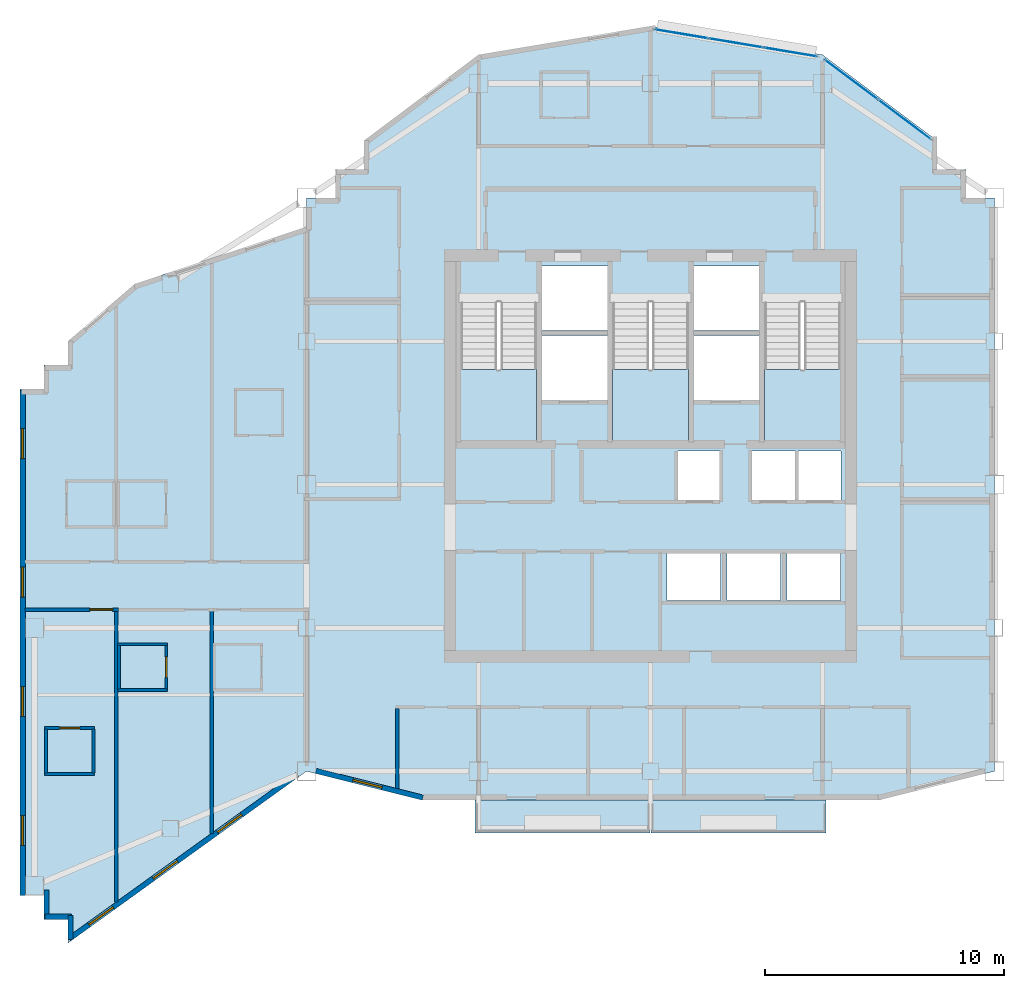
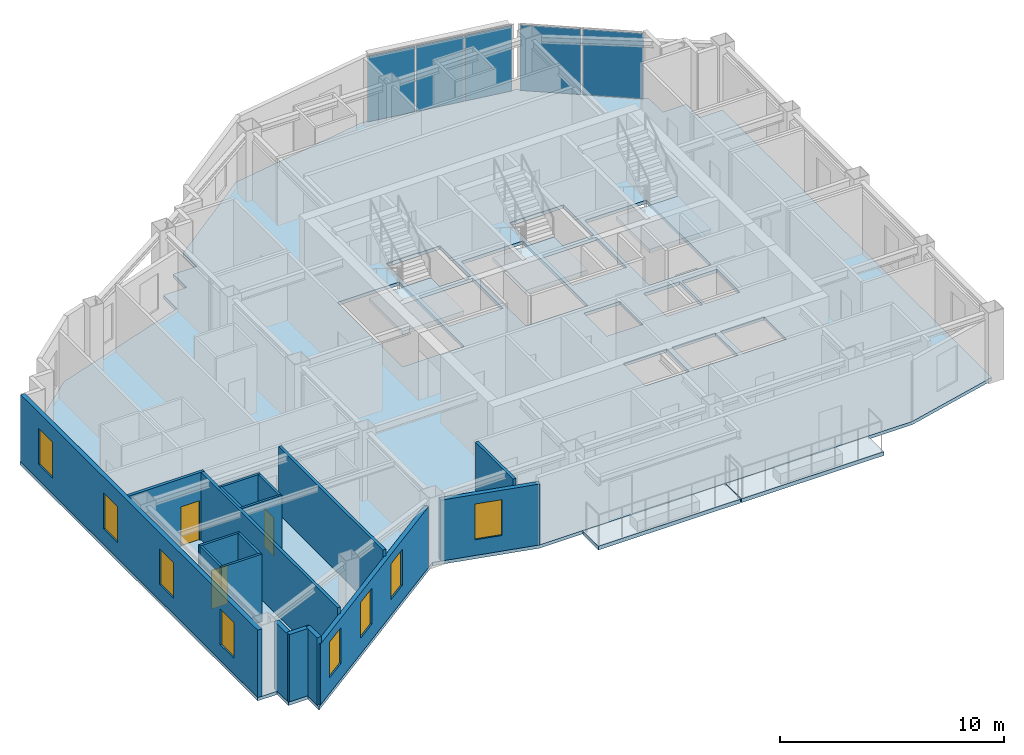
# One storey, part 4 of 11: 18 walls, 8 windows, 6 slabs, 5 plates, 3 doors, 11 openings, 5 elements without a shape of their own.
"""IFC4 building model written with IfcOpenShell, lengths in metres."""

from ifc_helpers import new_model, si_unit, direction, frame, frame_2d, origin, origin_2d, place, context, subcontext, project, spatial, polyline, rectangle, outline, extrude, material, layer, layer_set, type_object, element, fill, aggregate, save


model = new_model("IFC4")

# Units and contexts
model_context = context("Model", 3, precision=1e-05, world=origin(), true_north=direction((0.0, 1.0)))
body_context = subcontext(model_context, "Body", "Model", "MODEL_VIEW")
ifc_project = project(units=[si_unit("LENGTHUNIT", "METRE"), si_unit("AREAUNIT", "SQUARE_METRE"), si_unit("VOLUMEUNIT", "CUBIC_METRE"), si_unit("PLANEANGLEUNIT", "RADIAN"), si_unit("MASSUNIT", "GRAM", prefix="KILO")], contexts=[model_context])

# Site, building, storey
site_placement = place(None, origin())
site = spatial("IfcSite", under=ifc_project, at=site_placement, CompositionType="ELEMENT")
building_placement = place(site_placement, origin())
building = spatial("IfcBuilding", under=site, at=building_placement, Name="Haolan Belvedere Tower", CompositionType="ELEMENT")
storey_placement = place(building_placement, frame((0.0, 0.0, 250.60009765625)))
storey = spatial("IfcBuildingStorey", under=building, at=storey_placement, Name="L63", CompositionType="ELEMENT", Elevation=250.60009765625)

# Curtain wall, plates
ifc_material_1 = material(Name="Anodised champagne-silver aluminium 6063-T6 and Low-E glass", Category="aluminium")
ifc_layer_1 = layer(ifc_material_1, 0.14501953125, Name="Anodised champagne-silver aluminium 6063-T6 and Low-E glass")
ifc_layer_set_1 = layer_set([ifc_layer_1], Name="Anodised champagne-silver aluminium 6063-T6 and Low-E glass")
curtain_wall_type = type_object("IfcCurtainWallType", Name="CW-SYS-05", PredefinedType="NOTDEFINED", material=ifc_layer_set_1)
curtain_wall_1_placement = place(storey_placement, origin())
curtain_wall_1 = element("IfcCurtainWall", 1, at=curtain_wall_1_placement, inside=storey, type_object=curtain_wall_type, Name="L63 CW-SYS-05 ribbon curtain wall 8.1", PredefinedType="NOTDEFINED")
ifc_material_2 = material(Name="Double silver Low-E laminated insulating glass", Category="glass")
ifc_layer_2 = layer(ifc_material_2, 0.02197265625, Name="Double silver Low-E laminated insulating glass")
ifc_layer_set_2 = layer_set([ifc_layer_2], Name="Double silver Low-E laminated insulating glass")
plate_type = type_object("IfcPlateType", Name="CW-SYS-05-PNL", PredefinedType="CURTAIN_PANEL", material=ifc_layer_set_2)
plate_1_placement = place(storey_placement, frame((49.03955078125, 48.8828125, 0.0498046875), z_axis=(0.0, 0.0, 1.0), x_axis=(-0.799997871638, 0.600002837806, 0.0)))
plate_1 = element("IfcPlate", 2, at=plate_1_placement, type_object=plate_type, Name="CW-05 panel 1.1", PredefinedType="CURTAIN_PANEL", context=body_context, shape_type="SweptSolid", body=[
    extrude(rectangle(XDim=2.738037109375, YDim=0.02197265625, at=origin_2d()), origin(), (0.0, 0.0, 1.0), 3.570068359375),
])
plate_2_placement = place(storey_placement, frame((46.805908203125, 50.55810546875, 0.0498046875), z_axis=(0.0, 0.0, 1.0), x_axis=(-0.799997871638, 0.600002837806, 0.0)))
plate_2 = element("IfcPlate", 3, at=plate_2_placement, type_object=plate_type, Name="CW-05 panel 2.1", PredefinedType="CURTAIN_PANEL", context=body_context, shape_type="SweptSolid", body=[
    extrude(rectangle(XDim=2.738037109375, YDim=0.02197265625, at=origin_2d()), origin(), (0.0, 0.0, 1.0), 3.570068359375),
])
aggregate(curtain_wall_1, [plate_1, plate_2])

curtain_wall_2_placement = place(storey_placement, origin())
curtain_wall_2 = element("IfcCurtainWall", 4, at=curtain_wall_2_placement, inside=storey, type_object=curtain_wall_type, Name="L63 CW-SYS-05 ribbon curtain wall 9.1", PredefinedType="NOTDEFINED")
plate_3_placement = place(storey_placement, frame((44.257568359375, 51.712158203125, 0.0498046875), z_axis=(0.0, 0.0, 1.0), x_axis=(-0.98639276122, 0.164405962825, 0.0)))
plate_3 = element("IfcPlate", 5, at=plate_3_placement, type_object=plate_type, Name="CW-05 panel 1.1", PredefinedType="CURTAIN_PANEL", context=body_context, shape_type="SweptSolid", body=[
    extrude(rectangle(XDim=2.24365234375, YDim=0.02197265625, at=origin_2d()), origin(), (0.0, 0.0, 1.0), 3.570068359375),
])
plate_4_placement = place(storey_placement, frame((41.977783203125, 52.09228515625, 0.0498046875), z_axis=(0.0, 0.0, 1.0), x_axis=(-0.98639276122, 0.164405962825, 0.0)))
plate_4 = element("IfcPlate", 6, at=plate_4_placement, type_object=plate_type, Name="CW-05 panel 2.1", PredefinedType="CURTAIN_PANEL", context=body_context, shape_type="SweptSolid", body=[
    extrude(rectangle(XDim=2.270751953125, YDim=0.02197265625, at=origin_2d()), origin(), (0.0, 0.0, 1.0), 3.570068359375),
])
plate_5_placement = place(storey_placement, frame((39.697998046875, 52.47216796875, 0.0498046875), z_axis=(0.0, 0.0, 1.0), x_axis=(-0.98639276122, 0.164405962825, 0.0)))
plate_5 = element("IfcPlate", 7, at=plate_5_placement, type_object=plate_type, Name="CW-05 panel 3.1", PredefinedType="CURTAIN_PANEL", context=body_context, shape_type="SweptSolid", body=[
    extrude(rectangle(XDim=2.24365234375, YDim=0.02197265625, at=origin_2d()), origin(), (0.0, 0.0, 1.0), 3.570068359375),
])
aggregate(curtain_wall_2, [plate_3, plate_4, plate_5])

# Slabs
ifc_material_3 = material(Name="Concrete C40/50", Category="concrete")
ifc_layer_3 = layer(ifc_material_3, 0.2099609375, Name="Concrete C40/50")
ifc_layer_set_3 = layer_set([ifc_layer_3], Name="Concrete C40/50")
slab_type_1 = type_object("IfcSlabType", Name="SL-BAL-210", PredefinedType="FLOOR", material=ifc_layer_set_3)
slab_1_placement = place(storey_placement, frame((0.0, 0.0, -0.22998046875)))
element("IfcSlab", 8, at=slab_1_placement, inside=storey, type_object=slab_type_1, Name="L63 structural tree-planter balcony slab BAL-L63-S1", PredefinedType="FLOOR", context=body_context, shape_type="SweptSolid", body=[
    extrude(outline(polyline([(31.050048828125, 19.02001953125), (38.3798828125, 19.02001953125), (38.3798828125, 20.39990234375), (31.050048828125, 20.39990234375), (31.050048828125, 19.02001953125)])), origin(), (0.0, 0.0, 1.0), 0.2099609375),
])
slab_2_placement = place(storey_placement, frame((0.0, 0.0, -0.22998046875)))
element("IfcSlab", 9, at=slab_2_placement, inside=storey, type_object=slab_type_1, Name="L63 structural tree-planter balcony slab BAL-L63-S2", PredefinedType="FLOOR", context=body_context, shape_type="SweptSolid", body=[
    extrude(outline(polyline([(38.419921875, 19.02001953125), (45.75, 19.02001953125), (45.75, 20.39990234375), (38.419921875, 20.39990234375), (38.419921875, 19.02001953125)])), origin(), (0.0, 0.0, 1.0), 0.2099609375),
])
ifc_layer_4 = layer(ifc_material_3, 0.179931640625, Name="Concrete C40/50")
ifc_layer_set_4 = layer_set([ifc_layer_4], Name="Concrete C40/50")
slab_type_2 = type_object("IfcSlabType", Name="SL-FLR-180", PredefinedType="FLOOR", material=ifc_layer_set_4)
slab_3_placement = place(storey_placement, frame((0.0, 0.0, -0.18017578125)))
element("IfcSlab", 10, at=slab_3_placement, inside=storey, type_object=slab_type_2, Name="L63 structural floor slab", PredefinedType="FLOOR", context=body_context, shape_type="SweptSolid", body=[
    extrude(outline(polyline([(24.0, 21.60009765625), (28.800048828125, 20.39990234375), (48.0, 20.39990234375), (52.800048828125, 21.60009765625), (52.800048828125, 45.60009765625), (51.60009765625, 45.60009765625), (51.60009765625, 46.800048828125), (50.39990234375, 46.800048828125), (50.39990234375, 48.0), (45.60009765625, 51.60009765625), (38.39990234375, 52.800048828125), (31.199951171875, 51.60009765625), (26.39990234375, 48.0), (26.39990234375, 46.800048828125), (25.199951171875, 46.800048828125), (25.199951171875, 45.60009765625), (24.0, 45.60009765625), (24.0, 44.39990234375), (16.800048828125, 42.0), (14.0, 39.60009765625), (14.0, 38.60009765625), (13.0, 38.60009765625), (13.0, 37.60009765625), (12.0, 37.60009765625), (12.0, 16.800048828125), (12.0, 16.39990234375), (13.0, 16.39990234375), (13.0, 15.39990234375), (14.0, 15.39990234375), (14.0, 14.39990234375), (24.0, 21.60009765625)]), holes=[polyline([(30.449951171875, 41.22998046875), (30.449951171875, 35.449951171875), (33.6298828125, 35.449951171875), (33.6298828125, 41.22998046875), (30.449951171875, 41.22998046875)]), polyline([(36.81005859375, 41.22998046875), (36.81005859375, 35.449951171875), (39.989990234375, 35.449951171875), (39.989990234375, 41.22998046875), (36.81005859375, 41.22998046875)]), polyline([(43.169921875, 41.22998046875), (43.169921875, 35.449951171875), (46.35009765625, 35.449951171875), (46.35009765625, 41.22998046875), (43.169921875, 41.22998046875)]), polyline([(33.830078125, 40.050048828125), (36.610107421875, 40.050048828125), (36.610107421875, 42.75), (33.830078125, 42.75), (33.830078125, 40.050048828125)]), polyline([(33.830078125, 37.14990234375), (36.610107421875, 37.14990234375), (36.610107421875, 39.85009765625), (33.830078125, 39.85009765625), (33.830078125, 37.14990234375)]), polyline([(40.18994140625, 40.050048828125), (42.969970703125, 40.050048828125), (42.969970703125, 42.75), (40.18994140625, 42.75), (40.18994140625, 40.050048828125)]), polyline([(40.18994140625, 37.14990234375), (42.969970703125, 37.14990234375), (42.969970703125, 39.85009765625), (40.18994140625, 39.85009765625), (40.18994140625, 37.14990234375)]), polyline([(39.5400390625, 32.949951171875), (41.389892578125, 32.949951171875), (41.389892578125, 35.0), (39.5400390625, 35.0), (39.5400390625, 32.949951171875)]), polyline([(42.6201171875, 32.949951171875), (44.469970703125, 32.949951171875), (44.469970703125, 35.0), (42.6201171875, 35.0), (42.6201171875, 32.949951171875)]), polyline([(44.580078125, 32.949951171875), (46.3798828125, 32.949951171875), (46.3798828125, 35.0), (44.580078125, 35.0), (44.580078125, 32.949951171875)]), polyline([(39.10009765625, 28.75), (41.340087890625, 28.75), (41.340087890625, 30.75), (39.10009765625, 30.75), (39.10009765625, 28.75)]), polyline([(41.610107421875, 28.75), (43.85009765625, 28.75), (43.85009765625, 30.75), (41.610107421875, 30.75), (41.610107421875, 28.75)]), polyline([(44.1201171875, 28.75), (46.360107421875, 28.75), (46.360107421875, 30.75), (44.1201171875, 30.75), (44.1201171875, 28.75)])]), origin(), (0.0, 0.0, 1.0), 0.18017578125),
])

# Stair, slab
stair_type = type_object("IfcStairType", Name="STR-DL-22R-175", PredefinedType="HALF_TURN_STAIR", material=ifc_material_3)
stair_1_placement = place(storey_placement, origin())
stair_1 = element("IfcStair", 11, at=stair_1_placement, inside=storey, type_object=stair_type, Name="L63 Smokeproof Core Exit Stair ST1", PredefinedType="HALF_TURN_STAIR")
ifc_layer_5 = layer(ifc_material_3, 0.199951171875, Name="Concrete C40/50")
ifc_layer_set_5 = layer_set([ifc_layer_5], Name="Concrete C40/50")
slab_type_3 = type_object("IfcSlabType", Name="SL-LAND-200", PredefinedType="LANDING", material=ifc_layer_set_5)
slab_4_placement = place(storey_placement, frame((0.0, 0.0, 1.724853515625)))
slab_4 = element("IfcSlab", 12, at=slab_4_placement, type_object=slab_type_3, Name="ST1 landing 1", PredefinedType="LANDING", context=body_context, shape_type="SweptSolid", body=[
    extrude(outline(polyline([(30.449951171875, 38.429931640625), (30.449951171875, 35.449951171875), (33.6298828125, 35.449951171875), (33.6298828125, 38.429931640625), (30.449951171875, 38.429931640625)])), origin(), (0.0, 0.0, 1.0), 0.199951171875),
])
aggregate(stair_1, [slab_4])

stair_2_placement = place(storey_placement, origin())
stair_2 = element("IfcStair", 13, at=stair_2_placement, inside=storey, type_object=stair_type, Name="L63 Smokeproof Core Exit Stair ST3", PredefinedType="HALF_TURN_STAIR")
slab_5_placement = place(storey_placement, frame((0.0, 0.0, 1.724853515625)))
slab_5 = element("IfcSlab", 14, at=slab_5_placement, type_object=slab_type_3, Name="ST3 landing 1", PredefinedType="LANDING", context=body_context, shape_type="SweptSolid", body=[
    extrude(outline(polyline([(36.81005859375, 38.429931640625), (36.81005859375, 35.449951171875), (39.989990234375, 35.449951171875), (39.989990234375, 38.429931640625), (36.81005859375, 38.429931640625)])), origin(), (0.0, 0.0, 1.0), 0.199951171875),
])
aggregate(stair_2, [slab_5])

stair_3_placement = place(storey_placement, origin())
stair_3 = element("IfcStair", 15, at=stair_3_placement, inside=storey, type_object=stair_type, Name="L63 Smokeproof Core Exit Stair ST2", PredefinedType="HALF_TURN_STAIR")
slab_6_placement = place(storey_placement, frame((0.0, 0.0, 1.724853515625)))
slab_6 = element("IfcSlab", 16, at=slab_6_placement, type_object=slab_type_3, Name="ST2 landing 1", PredefinedType="LANDING", context=body_context, shape_type="SweptSolid", body=[
    extrude(outline(polyline([(43.169921875, 38.429931640625), (43.169921875, 35.449951171875), (46.35009765625, 35.449951171875), (46.35009765625, 38.429931640625), (43.169921875, 38.429931640625)])), origin(), (0.0, 0.0, 1.0), 0.199951171875),
])
aggregate(stair_3, [slab_6])

# Wall, openings, windows
ifc_material_4 = material(Name="Precast concrete C40/50", Category="concrete")
ifc_layer_6 = layer(ifc_material_4, 0.219970703125, Name="Precast concrete C40/50")
ifc_layer_set_6 = layer_set([ifc_layer_6], Name="Precast concrete C40/50")
wall_type_1 = type_object("IfcWallType", Name="WL-EXT-220", PredefinedType="SOLIDWALL", material=ifc_layer_set_6)
wall_1_placement = place(storey_placement, frame((12.110107421875, 37.544921875, 0.0), z_axis=(0.0, 0.0, 1.0), x_axis=(0.0, -1.0, 0.0)))
wall_1 = element("IfcWall", 17, at=wall_1_placement, inside=storey, type_object=wall_type_1, Name="L63 pale-metal exterior spandrel wall 23.1", PredefinedType="SOLIDWALL", context=body_context, shape_type="SweptSolid", body=[
    extrude(rectangle(XDim=21.14501953125, YDim=0.219970703125, at=frame_2d((10.572509765625, 0.0))), origin(), (0.0, 0.0, 1.0), 3.669921875),
])
opening_1_placement = place(wall_1_placement, frame((1.60009765625, 0.0, 0.85009765625)))
opening_1 = element("IfcOpeningElement", 18, at=opening_1_placement, cuts=wall_1, Name="Opening W-04", PredefinedType="OPENING", context=body_context, shape_type="SweptSolid", body=[
    extrude(rectangle(XDim=1.25, YDim=1.949951171875, at=frame_2d((0.625, 0.97509765625))), frame((0.0, 0.119873046875, 0.0), z_axis=(0.0, -1.0, 0.0), x_axis=(1.0, 0.0, 0.0)), (0.0, 0.0, 1.0), 0.239990234375),
])
opening_2_placement = place(wall_1_placement, frame((7.39990234375, 0.0, 0.85009765625)))
opening_2 = element("IfcOpeningElement", 19, at=opening_2_placement, cuts=wall_1, Name="Opening W-04", PredefinedType="OPENING", context=body_context, shape_type="SweptSolid", body=[
    extrude(rectangle(XDim=1.25, YDim=1.949951171875, at=frame_2d((0.625, 0.97509765625))), frame((0.0, 0.119873046875, 0.0), z_axis=(0.0, -1.0, 0.0), x_axis=(1.0, 0.0, 0.0)), (0.0, 0.0, 1.0), 0.239990234375),
])
opening_3_placement = place(wall_1_placement, frame((12.39990234375, 0.0, 0.85009765625)))
opening_3 = element("IfcOpeningElement", 20, at=opening_3_placement, cuts=wall_1, Name="Opening W-04", PredefinedType="OPENING", context=body_context, shape_type="SweptSolid", body=[
    extrude(rectangle(XDim=1.25, YDim=1.949951171875, at=frame_2d((0.625, 0.97509765625))), frame((0.0, 0.119873046875, 0.0), z_axis=(0.0, -1.0, 0.0), x_axis=(1.0, 0.0, 0.0)), (0.0, 0.0, 1.0), 0.239990234375),
])
opening_4_placement = place(wall_1_placement, frame((17.800048828125, 0.0, 0.85009765625)))
opening_4 = element("IfcOpeningElement", 21, at=opening_4_placement, cuts=wall_1, Name="Opening W-04", PredefinedType="OPENING", context=body_context, shape_type="SweptSolid", body=[
    extrude(rectangle(XDim=1.25, YDim=1.949951171875, at=frame_2d((0.625, 0.97509765625))), frame((0.0, 0.119873046875, 0.0), z_axis=(0.0, -1.0, 0.0), x_axis=(1.0, 0.0, 0.0)), (0.0, 0.0, 1.0), 0.239990234375),
])
ifc_material_5 = material(Name="Anodised aluminium 6063-T6 and Low-E glass", Category="aluminium")
window_type = type_object("IfcWindowType", Name="WN-DECO-Z4", PartitioningType="SINGLE_PANEL", PredefinedType="WINDOW", material=ifc_material_5)
window_1_placement = place(opening_1_placement, origin())
window_1 = element("IfcWindow", 22, at=window_1_placement, inside=storey, type_object=window_type, Name="L63 Art Deco chevron window 1", OverallHeight=1.949951171875, OverallWidth=1.25, PartitioningType="SINGLE_PANEL", PredefinedType="WINDOW", context=body_context, shape_type="SweptSolid", body=[
    extrude(rectangle(XDim=1.25, YDim=1.949951171875, at=frame_2d((0.625, 0.97509765625))), frame((0.0, 0.030029296875, 0.0), z_axis=(0.0, -1.0, 0.0), x_axis=(1.0, 0.0, 0.0)), (0.0, 0.0, 1.0), 0.06005859375),
])
fill(opening_1, window_1)
window_2_placement = place(opening_2_placement, origin())
window_2 = element("IfcWindow", 23, at=window_2_placement, inside=storey, type_object=window_type, Name="L63 Art Deco chevron window 2", OverallHeight=1.949951171875, OverallWidth=1.25, PartitioningType="SINGLE_PANEL", PredefinedType="WINDOW", context=body_context, shape_type="SweptSolid", body=[
    extrude(rectangle(XDim=1.25, YDim=1.949951171875, at=frame_2d((0.625, 0.97509765625))), frame((0.0, 0.030029296875, 0.0), z_axis=(0.0, -1.0, 0.0), x_axis=(1.0, 0.0, 0.0)), (0.0, 0.0, 1.0), 0.06005859375),
])
fill(opening_2, window_2)
window_3_placement = place(opening_3_placement, origin())
window_3 = element("IfcWindow", 24, at=window_3_placement, inside=storey, type_object=window_type, Name="L63 Art Deco chevron window 3", OverallHeight=1.949951171875, OverallWidth=1.25, PartitioningType="SINGLE_PANEL", PredefinedType="WINDOW", context=body_context, shape_type="SweptSolid", body=[
    extrude(rectangle(XDim=1.25, YDim=1.949951171875, at=frame_2d((0.625, 0.97509765625))), frame((0.0, 0.030029296875, 0.0), z_axis=(0.0, -1.0, 0.0), x_axis=(1.0, 0.0, 0.0)), (0.0, 0.0, 1.0), 0.06005859375),
])
fill(opening_3, window_3)
window_4_placement = place(opening_4_placement, origin())
window_4 = element("IfcWindow", 25, at=window_4_placement, inside=storey, type_object=window_type, Name="L63 Art Deco chevron window 4", OverallHeight=1.949951171875, OverallWidth=1.25, PartitioningType="SINGLE_PANEL", PredefinedType="WINDOW", context=body_context, shape_type="SweptSolid", body=[
    extrude(rectangle(XDim=1.25, YDim=1.949951171875, at=frame_2d((0.625, 0.97509765625))), frame((0.0, 0.030029296875, 0.0), z_axis=(0.0, -1.0, 0.0), x_axis=(1.0, 0.0, 0.0)), (0.0, 0.0, 1.0), 0.06005859375),
])
fill(opening_4, window_4)

# Walls
wall_2_placement = place(storey_placement, frame((13.110107421875, 16.6201171875, 0.0), z_axis=(0.0, 0.0, 1.0), x_axis=(0.0, -1.0, 0.0)))
element("IfcWall", 26, at=wall_2_placement, inside=storey, type_object=wall_type_1, Name="L63 pale-metal exterior spandrel wall 25.1", PredefinedType="SOLIDWALL", context=body_context, shape_type="SweptSolid", body=[
    extrude(rectangle(XDim=1.1650390625, YDim=0.219970703125, at=frame_2d((0.58251953125, 0.0))), origin(), (0.0, 0.0, 1.0), 3.669921875),
])
wall_3_placement = place(storey_placement, frame((13.054931640625, 15.510009765625, 0.0), z_axis=(0.0, 0.0, 1.0), x_axis=(1.0, 0.0, 0.0)))
element("IfcWall", 27, at=wall_3_placement, inside=storey, type_object=wall_type_1, Name="L63 pale-metal exterior spandrel wall 26.1", PredefinedType="SOLIDWALL", context=body_context, shape_type="SweptSolid", body=[
    extrude(rectangle(XDim=1.110107421875, YDim=0.219970703125, at=frame_2d((0.55517578125, 0.0))), origin(), (0.0, 0.0, 1.0), 3.669921875),
])
wall_4_placement = place(storey_placement, frame((14.110107421875, 15.56494140625, 0.0), z_axis=(0.0, 0.0, 1.0), x_axis=(0.0, -1.0, 0.0)))
element("IfcWall", 28, at=wall_4_placement, inside=storey, type_object=wall_type_1, Name="L63 pale-metal exterior spandrel wall 27.1", PredefinedType="SOLIDWALL", context=body_context, shape_type="SweptSolid", body=[
    extrude(rectangle(XDim=1.005126953125, YDim=0.219970703125, at=frame_2d((0.50244140625, 0.0))), origin(), (0.0, 0.0, 1.0), 3.669921875),
])

# Wall, openings, windows
wall_5_placement = place(storey_placement, frame((14.0654296875, 14.58251953125, 0.0), z_axis=(0.0, 0.0, 1.0), x_axis=(0.811523708458, 0.584319493608, 0.0)))
wall_5 = element("IfcWall", 29, at=wall_5_placement, inside=storey, type_object=wall_type_1, Name="L63 pale-metal exterior spandrel wall 28.1", PredefinedType="SOLIDWALL", context=body_context, shape_type="SweptSolid", body=[
    extrude(rectangle(XDim=11.7587890625, YDim=0.219970703125, at=frame_2d((5.87939453125, 0.0))), origin(), (0.0, 0.0, 1.0), 3.31494140625),
])
opening_5_placement = place(wall_5_placement, frame((1.00927734375, 0.0, 0.85009765625)))
opening_5 = element("IfcOpeningElement", 30, at=opening_5_placement, cuts=wall_5, Name="Opening W-04", PredefinedType="OPENING", context=body_context, shape_type="SweptSolid", body=[
    extrude(rectangle(XDim=1.25, YDim=1.949951171875, at=frame_2d((0.625, 0.97509765625))), frame((0.0, 0.119873046875, 0.0), z_axis=(0.0, -1.0, 0.0), x_axis=(1.0, 0.0, 0.0)), (0.0, 0.0, 1.0), 0.239990234375),
])
opening_6_placement = place(wall_5_placement, frame((7.64599609375, 0.0, 0.85009765625)))
opening_6 = element("IfcOpeningElement", 31, at=opening_6_placement, cuts=wall_5, Name="Opening W-04", PredefinedType="OPENING", context=body_context, shape_type="SweptSolid", body=[
    extrude(rectangle(XDim=1.25, YDim=1.949951171875, at=frame_2d((0.625, 0.97509765625))), frame((0.0, 0.119873046875, 0.0), z_axis=(0.0, -1.0, 0.0), x_axis=(1.0, 0.0, 0.0)), (0.0, 0.0, 1.0), 0.239990234375),
])
opening_7_placement = place(wall_5_placement, frame((4.32763671875, 0.0, 0.85009765625)))
opening_7 = element("IfcOpeningElement", 32, at=opening_7_placement, cuts=wall_5, Name="Opening W-04", PredefinedType="OPENING", context=body_context, shape_type="SweptSolid", body=[
    extrude(rectangle(XDim=1.25, YDim=1.949951171875, at=frame_2d((0.625, 0.97509765625))), frame((0.0, 0.119873046875, 0.0), z_axis=(0.0, -1.0, 0.0), x_axis=(1.0, 0.0, 0.0)), (0.0, 0.0, 1.0), 0.239990234375),
])
window_5_placement = place(opening_5_placement, origin())
window_5 = element("IfcWindow", 33, at=window_5_placement, inside=storey, type_object=window_type, Name="L63 Art Deco chevron window 1", OverallHeight=1.949951171875, OverallWidth=1.25, PartitioningType="SINGLE_PANEL", PredefinedType="WINDOW", context=body_context, shape_type="SweptSolid", body=[
    extrude(rectangle(XDim=1.25, YDim=1.949951171875, at=frame_2d((0.625, 0.97509765625))), frame((0.0, 0.030029296875, 0.0), z_axis=(0.0, -1.0, 0.0), x_axis=(1.0, 0.0, 0.0)), (0.0, 0.0, 1.0), 0.06005859375),
])
fill(opening_5, window_5)
window_6_placement = place(opening_6_placement, origin())
window_6 = element("IfcWindow", 34, at=window_6_placement, inside=storey, type_object=window_type, Name="L63 Art Deco chevron window 2", OverallHeight=1.949951171875, OverallWidth=1.25, PartitioningType="SINGLE_PANEL", PredefinedType="WINDOW", context=body_context, shape_type="SweptSolid", body=[
    extrude(rectangle(XDim=1.25, YDim=1.949951171875, at=frame_2d((0.625, 0.97509765625))), frame((0.0, 0.030029296875, 0.0), z_axis=(0.0, -1.0, 0.0), x_axis=(1.0, 0.0, 0.0)), (0.0, 0.0, 1.0), 0.06005859375),
])
fill(opening_6, window_6)
window_7_placement = place(opening_7_placement, origin())
window_7 = element("IfcWindow", 35, at=window_7_placement, inside=storey, type_object=window_type, Name="L63 Art Deco guestroom window 2", OverallHeight=1.949951171875, OverallWidth=1.25, PartitioningType="SINGLE_PANEL", PredefinedType="WINDOW", context=body_context, shape_type="SweptSolid", body=[
    extrude(rectangle(XDim=1.25, YDim=1.949951171875, at=frame_2d((0.625, 0.97509765625))), frame((0.0, 0.030029296875, 0.0), z_axis=(0.0, -1.0, 0.0), x_axis=(1.0, 0.0, 0.0)), (0.0, 0.0, 1.0), 0.06005859375),
])
fill(opening_7, window_7)

# Wall, opening, window
wall_6_placement = place(storey_placement, frame((24.39208984375, 21.615478515625, 0.0), z_axis=(0.0, 0.0, 1.0), x_axis=(0.970133159038, -0.242572986408, 0.0)))
wall_6 = element("IfcWall", 36, at=wall_6_placement, inside=storey, type_object=wall_type_1, Name="L63 pale-metal exterior spandrel wall 29.1", PredefinedType="SOLIDWALL", context=body_context, shape_type="SweptSolid", body=[
    extrude(rectangle(XDim=4.612548828125, YDim=0.219970703125, at=frame_2d((2.30615234375, 0.0))), origin(), (0.0, 0.0, 1.0), 3.31494140625),
])
opening_8_placement = place(wall_6_placement, frame((1.60009765625, 0.0, 0.85009765625)))
opening_8 = element("IfcOpeningElement", 37, at=opening_8_placement, cuts=wall_6, Name="Opening W-04", PredefinedType="OPENING", context=body_context, shape_type="SweptSolid", body=[
    extrude(rectangle(XDim=1.25, YDim=1.949951171875, at=frame_2d((0.625, 0.97509765625))), frame((0.0, 0.119873046875, 0.0), z_axis=(0.0, -1.0, 0.0), x_axis=(1.0, 0.0, 0.0)), (0.0, 0.0, 1.0), 0.239990234375),
])
window_8_placement = place(opening_8_placement, origin())
window_8 = element("IfcWindow", 38, at=window_8_placement, inside=storey, type_object=window_type, Name="L63 Art Deco chevron window 1", OverallHeight=1.949951171875, OverallWidth=1.25, PartitioningType="SINGLE_PANEL", PredefinedType="WINDOW", context=body_context, shape_type="SweptSolid", body=[
    extrude(rectangle(XDim=1.25, YDim=1.949951171875, at=frame_2d((0.625, 0.97509765625))), frame((0.0, 0.030029296875, 0.0), z_axis=(0.0, -1.0, 0.0), x_axis=(1.0, 0.0, 0.0)), (0.0, 0.0, 1.0), 0.06005859375),
])
fill(opening_8, window_8)

# Wall
ifc_material_6 = material(Name="Double gypsum acoustic stud partition", Category="masonry")
ifc_layer_7 = layer(ifc_material_6, 0.14990234375, Name="Double gypsum acoustic stud partition")
ifc_layer_set_7 = layer_set([ifc_layer_7], Name="Double gypsum acoustic stud partition")
wall_type_2 = type_object("IfcWallType", Name="WL-PART-150", PredefinedType="PARTITIONING", material=ifc_layer_set_7)
wall_7_placement = place(storey_placement, frame((27.800048828125, 20.868408203125, 0.0), z_axis=(0.0, 0.0, 1.0), x_axis=(0.0, 1.0, 0.0)))
element("IfcWall", 39, at=wall_7_placement, inside=storey, type_object=wall_type_2, Name="L63 interior partition IW-L63-KS2-W", PredefinedType="PARTITIONING", context=body_context, shape_type="SweptSolid", body=[
    extrude(rectangle(XDim=3.3515625, YDim=0.14990234375, at=frame_2d((1.67578125, 0.0))), origin(), (0.0, 0.0, 1.0), 3.669921875),
])

# Wall, opening, door
wall_8_placement = place(storey_placement, frame((12.2119140625, 28.3701171875, 0.0), z_axis=(0.0, 0.0, 1.0), x_axis=(1.0, 0.0, 0.0)))
wall_8 = element("IfcWall", 40, at=wall_8_placement, inside=storey, type_object=wall_type_2, Name="L63 interior partition IW-L63-T2S1-N", PredefinedType="PARTITIONING", context=body_context, shape_type="SweptSolid", body=[
    extrude(rectangle(XDim=3.91796875, YDim=0.14990234375, at=frame_2d((1.958984375, 0.0))), origin(), (0.0, 0.0, 1.0), 3.669921875),
])
opening_9_placement = place(wall_8_placement, frame((3.663330078125, 0.0, 0.0), z_axis=(0.0, 0.0, 1.0), x_axis=(-1.0, 0.0, 0.0)))
opening_9 = element("IfcOpeningElement", 41, at=opening_9_placement, cuts=wall_8, Name="Opening ID-02", PredefinedType="OPENING", context=body_context, shape_type="SweptSolid", body=[
    extrude(rectangle(XDim=0.949951171875, YDim=2.14990234375, at=frame_2d((0.47509765625, 1.074951171875))), frame((0.0, 0.0849609375, 0.0), z_axis=(0.0, -1.0, 0.0), x_axis=(1.0, 0.0, 0.0)), (0.0, 0.0, 1.0), 0.169921875),
])
ifc_material_7 = material(Name="Acoustic oak veneer fire-rated timber", Category="wood")
door_type_1 = type_object("IfcDoorType", Name="DR-GUEST-950", OperationType="NOTDEFINED", PredefinedType="DOOR", material=ifc_material_7)
door_1_placement = place(opening_9_placement, origin())
door_1 = element("IfcDoor", 42, at=door_1_placement, inside=storey, type_object=door_type_1, Name="L63 door ID-L63-T2S1-ENT", OperationType="SINGLE_SWING_LEFT", OverallHeight=2.14990234375, OverallWidth=0.949951171875, PredefinedType="DOOR", context=body_context, shape_type="SweptSolid", body=[
    extrude(rectangle(XDim=0.949951171875, YDim=2.14990234375, at=frame_2d((0.47509765625, 1.074951171875))), frame((0.0, 0.02490234375, 0.0), z_axis=(0.0, -1.0, 0.0), x_axis=(1.0, 0.0, 0.0)), (0.0, 0.0, 1.0), 0.050048828125),
])
fill(opening_9, door_1)

# Walls
wall_9_placement = place(storey_placement, frame((16.030029296875, 16.122802734375, 0.0), z_axis=(0.0, 0.0, 1.0), x_axis=(0.0, 1.0, 0.0)))
element("IfcWall", 43, at=wall_9_placement, inside=storey, type_object=wall_type_2, Name="L63 interior partition IW-L63-T2S1-E", PredefinedType="PARTITIONING", context=body_context, shape_type="SweptSolid", body=[
    extrude(rectangle(XDim=12.187255859375, YDim=0.14990234375, at=frame_2d((6.09375, 0.0))), origin(), (0.0, 0.0, 1.0), 3.669921875),
])
wall_10_placement = place(storey_placement, frame((20.02001953125, 18.99560546875, 0.0), z_axis=(0.0, 0.0, 1.0), x_axis=(0.0, 1.0, 0.0)))
element("IfcWall", 44, at=wall_10_placement, inside=storey, type_object=wall_type_2, Name="L63 interior partition IW-L63-T2S2-E", PredefinedType="PARTITIONING", context=body_context, shape_type="SweptSolid", body=[
    extrude(rectangle(XDim=9.314453125, YDim=0.14990234375, at=frame_2d((4.6572265625, 0.0))), origin(), (0.0, 0.0, 1.0), 3.669921875),
])

# Wall, opening, door
ifc_material_8 = material(Name="Moisture-resistant gypsum tile partition", Category="masonry")
ifc_layer_8 = layer(ifc_material_8, 0.1201171875, Name="Moisture-resistant gypsum tile partition")
ifc_layer_set_8 = layer_set([ifc_layer_8], Name="Moisture-resistant gypsum tile partition")
wall_type_3 = type_object("IfcWallType", Name="WL-WET-120", PredefinedType="PARTITIONING", material=ifc_layer_set_8)
wall_11_placement = place(storey_placement, frame((13.030029296875, 23.409912109375, 0.0), z_axis=(0.0, 0.0, 1.0), x_axis=(1.0, 0.0, 0.0)))
wall_11 = element("IfcWall", 45, at=wall_11_placement, inside=storey, type_object=wall_type_3, Name="L63 interior partition IW-L63-T2S1-BN", PredefinedType="PARTITIONING", context=body_context, shape_type="SweptSolid", body=[
    extrude(rectangle(XDim=2.099853515625, YDim=0.1201171875, at=frame_2d((1.0498046875, 0.0))), origin(), (0.0, 0.0, 1.0), 3.669921875),
])
opening_10_placement = place(wall_11_placement, frame((1.47509765625, 0.0, 0.0), z_axis=(0.0, 0.0, 1.0), x_axis=(-1.0, 0.0, 0.0)))
opening_10 = element("IfcOpeningElement", 46, at=opening_10_placement, cuts=wall_11, Name="Opening ID-05", PredefinedType="OPENING", context=body_context, shape_type="SweptSolid", body=[
    extrude(rectangle(XDim=0.85009765625, YDim=2.10009765625, at=frame_2d((0.425048828125, 1.050048828125))), frame((0.0, 0.070068359375, 0.0), z_axis=(0.0, -1.0, 0.0), x_axis=(1.0, 0.0, 0.0)), (0.0, 0.0, 1.0), 0.14013671875),
])
ifc_material_9 = material(Name="Moisture-resistant lacquered timber", Category="wood")
door_type_2 = type_object("IfcDoorType", Name="DR-BATH-850", OperationType="NOTDEFINED", PredefinedType="DOOR", material=ifc_material_9)
door_2_placement = place(opening_10_placement, origin())
door_2 = element("IfcDoor", 47, at=door_2_placement, inside=storey, type_object=door_type_2, Name="L63 door ID-L63-T2S1-BATH", OperationType="SINGLE_SWING_RIGHT", OverallHeight=2.10009765625, OverallWidth=0.85009765625, PredefinedType="DOOR", context=body_context, shape_type="SweptSolid", body=[
    extrude(rectangle(XDim=0.85009765625, YDim=2.10009765625, at=frame_2d((0.425048828125, 1.050048828125))), frame((0.0, 0.02490234375, 0.0), z_axis=(0.0, -1.0, 0.0), x_axis=(1.0, 0.0, 0.0)), (0.0, 0.0, 1.0), 0.050048828125),
])
fill(opening_10, door_2)

# Walls
wall_12_placement = place(storey_placement, frame((13.030029296875, 21.489990234375, 0.0), z_axis=(0.0, 0.0, 1.0), x_axis=(1.0, 0.0, 0.0)))
element("IfcWall", 48, at=wall_12_placement, inside=storey, type_object=wall_type_3, Name="L63 interior partition IW-L63-T2S1-BS", PredefinedType="PARTITIONING", context=body_context, shape_type="SweptSolid", body=[
    extrude(rectangle(XDim=2.099853515625, YDim=0.1201171875, at=frame_2d((1.0498046875, 0.0))), origin(), (0.0, 0.0, 1.0), 3.669921875),
])
for number, where, z_axis, x_axis, name in (
    (49, (13.090087890625, 21.534912109375, 0.0), (0.0, 0.0, 1.0), (0.0, 1.0, 0.0), "L63 interior partition IW-L63-T2S1-BW"),
    (50, (15.070068359375, 21.534912109375, 0.0), (0.0, 0.0, 1.0), (0.0, 1.0, 0.0), "L63 interior partition IW-L63-T2S1-BE"),
):
    element("IfcWall", number, at=place(storey_placement, frame(where, z_axis=z_axis, x_axis=x_axis)), inside=storey, type_object=wall_type_3, Name=name, PredefinedType="PARTITIONING", context=body_context, shape_type="SweptSolid", body=[
        extrude(rectangle(XDim=1.830078125, YDim=0.1201171875, at=frame_2d((0.9150390625, 0.0))), origin(), (0.0, 0.0, 1.0), 3.669921875),
    ])
for number, where, z_axis, x_axis, name in (
    (51, (16.090087890625, 26.919921875, 0.0), (0.0, 0.0, 1.0), (1.0, 0.0, 0.0), "L63 interior partition IW-L63-T2S2-BN"),
    (52, (16.090087890625, 25.0, 0.0), (0.0, 0.0, 1.0), (1.0, 0.0, 0.0), "L63 interior partition IW-L63-T2S2-BS"),
):
    element("IfcWall", number, at=place(storey_placement, frame(where, z_axis=z_axis, x_axis=x_axis)), inside=storey, type_object=wall_type_3, Name=name, PredefinedType="PARTITIONING", context=body_context, shape_type="SweptSolid", body=[
        extrude(rectangle(XDim=2.094970703125, YDim=0.1201171875, at=frame_2d((1.04736328125, 0.0))), origin(), (0.0, 0.0, 1.0), 3.669921875),
    ])
wall_13_placement = place(storey_placement, frame((16.14501953125, 25.044921875, 0.0), z_axis=(0.0, 0.0, 1.0), x_axis=(0.0, 1.0, 0.0)))
element("IfcWall", 53, at=wall_13_placement, inside=storey, type_object=wall_type_3, Name="L63 interior partition IW-L63-T2S2-BW", PredefinedType="PARTITIONING", context=body_context, shape_type="SweptSolid", body=[
    extrude(rectangle(XDim=1.830078125, YDim=0.1201171875, at=frame_2d((0.9150390625, 0.0))), origin(), (0.0, 0.0, 1.0), 3.669921875),
])

# Wall, opening, door
wall_14_placement = place(storey_placement, frame((18.125, 25.044921875, 0.0), z_axis=(0.0, 0.0, 1.0), x_axis=(0.0, 1.0, 0.0)))
wall_14 = element("IfcWall", 54, at=wall_14_placement, inside=storey, type_object=wall_type_3, Name="L63 interior partition IW-L63-T2S2-BE", PredefinedType="PARTITIONING", context=body_context, shape_type="SweptSolid", body=[
    extrude(rectangle(XDim=1.830078125, YDim=0.1201171875, at=frame_2d((0.9150390625, 0.0))), origin(), (0.0, 0.0, 1.0), 3.669921875),
])
opening_11_placement = place(wall_14_placement, frame((0.489990234375, 0.0, 0.0)))
opening_11 = element("IfcOpeningElement", 55, at=opening_11_placement, cuts=wall_14, Name="Opening ID-05", PredefinedType="OPENING", context=body_context, shape_type="SweptSolid", body=[
    extrude(rectangle(XDim=0.85009765625, YDim=2.10009765625, at=frame_2d((0.425048828125, 1.050048828125))), frame((0.0, 0.070068359375, 0.0), z_axis=(0.0, -1.0, 0.0), x_axis=(1.0, 0.0, 0.0)), (0.0, 0.0, 1.0), 0.14013671875),
])
door_3_placement = place(opening_11_placement, origin())
door_3 = element("IfcDoor", 56, at=door_3_placement, inside=storey, type_object=door_type_2, Name="L63 door ID-L63-T2S2-BATH", OperationType="SINGLE_SWING_LEFT", OverallHeight=2.10009765625, OverallWidth=0.85009765625, PredefinedType="DOOR", context=body_context, shape_type="SweptSolid", body=[
    extrude(rectangle(XDim=0.85009765625, YDim=2.10009765625, at=frame_2d((0.425048828125, 1.050048828125))), frame((0.0, 0.02490234375, 0.0), z_axis=(0.0, -1.0, 0.0), x_axis=(1.0, 0.0, 0.0)), (0.0, 0.0, 1.0), 0.050048828125),
])
fill(opening_11, door_3)

save(model, "model.ifc")
